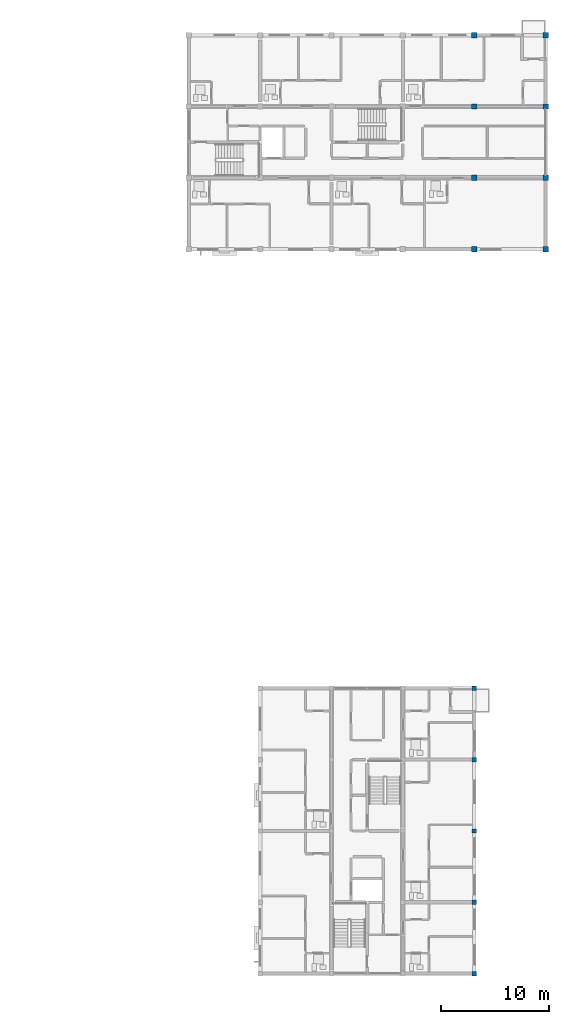
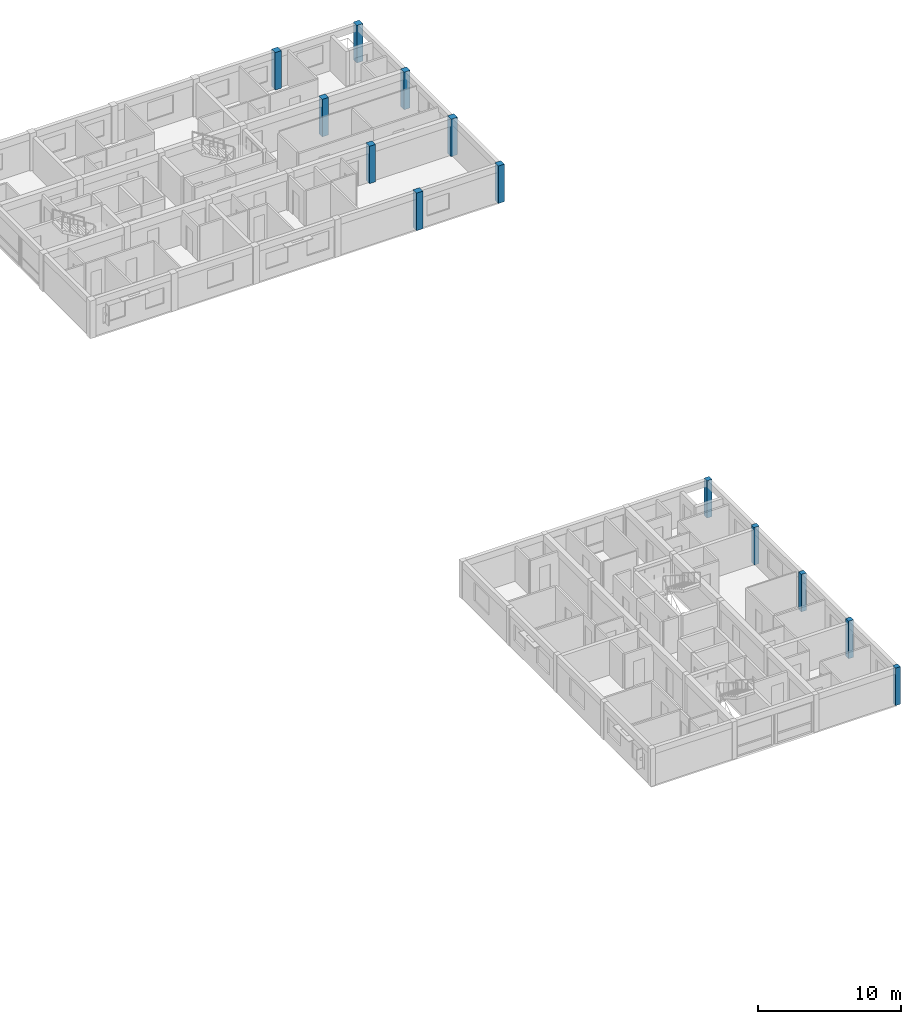
# One storey, part 4 of 49: 13 columns.
"""IFC4 building model written with IfcOpenShell, lengths in metres."""

from ifc_helpers import new_model, si_unit, direction, frame, origin, origin_2d, place, context, subcontext, project, spatial, rectangle, extrude, material, material_profile, profile_set, type_object, element, save


model = new_model("IFC4")

# Units and contexts
model_context = context("Model", 3, precision=1e-05, world=origin(), true_north=direction((0.0, 1.0)))
body_context = subcontext(model_context, "Body", "Model", "MODEL_VIEW")
ifc_project = project(units=[si_unit("LENGTHUNIT", "METRE"), si_unit("AREAUNIT", "SQUARE_METRE"), si_unit("VOLUMEUNIT", "CUBIC_METRE"), si_unit("PLANEANGLEUNIT", "RADIAN"), si_unit("MASSUNIT", "GRAM", prefix="KILO")], contexts=[model_context])

# Site, building, storey
site_placement = place(None, origin())
site = spatial("IfcSite", under=ifc_project, at=site_placement, CompositionType="ELEMENT")
building_placement = place(site_placement, origin())
building = spatial("IfcBuilding", under=site, at=building_placement, Name="Kernevlak Ridge Housing Community", CompositionType="ELEMENT")
storey_placement = place(building_placement, frame((0.0, 0.0, 30.800048828125)))
storey = spatial("IfcBuildingStorey", under=building, at=storey_placement, Name="L09", CompositionType="ELEMENT", Elevation=30.800048828125)

# Columns
ifc_material_1 = material(Name="Concrete C40/50", Category="concrete")
ifc_material_profile_1 = material_profile(ifc_material_1, rectangle(XDim=0.5, YDim=0.5, at=origin_2d()), Name="RC 500x500")
ifc_profile_set_1 = profile_set([ifc_material_profile_1], Name="Concrete C40/50")
column_type_1 = type_object("IfcColumnType", Name="C-03", PredefinedType="COLUMN", material=ifc_profile_set_1)
for number, where, z_axis, x_axis, name in (
    (1, (145.800048828125, 82.60009765625, 0.0), (0.0, 0.0, 1.0), (1.0, 0.0, 0.0), "Column C-03 COL-B-L09-04-0"),
    (2, (145.800048828125, 89.199951171875, 0.0), (0.0, 0.0, 1.0), (1.0, 0.0, 0.0), "Column C-03 COL-B-L09-04-1"),
    (3, (145.800048828125, 95.800048828125, 0.0), (0.0, 0.0, 1.0), (1.0, 0.0, 0.0), "Column C-03 COL-B-L09-04-2"),
    (4, (145.800048828125, 102.39990234375, 0.0), (0.0, 0.0, 1.0), (1.0, 0.0, 0.0), "Column C-03 COL-B-L09-04-3"),
    (5, (152.39990234375, 82.60009765625, 0.0), (0.0, 0.0, 1.0), (1.0, 0.0, 0.0), "Column C-03 COL-B-L09-05-0"),
    (6, (152.39990234375, 89.199951171875, 0.0), (0.0, 0.0, 1.0), (1.0, 0.0, 0.0), "Column C-03 COL-B-L09-05-1"),
    (7, (152.39990234375, 95.800048828125, 0.0), (0.0, 0.0, 1.0), (1.0, 0.0, 0.0), "Column C-03 COL-B-L09-05-2"),
    (8, (152.39990234375, 102.39990234375, 0.0), (0.0, 0.0, 1.0), (1.0, 0.0, 0.0), "Column C-03 COL-B-L09-05-3"),
):
    element("IfcColumn", number, at=place(storey_placement, frame(where, z_axis=z_axis, x_axis=x_axis)), inside=storey, type_object=column_type_1, Name=name, PredefinedType="COLUMN", context=body_context, shape_type="SweptSolid", body=[
        extrude(rectangle(XDim=0.5, YDim=0.5, at=origin_2d()), origin(), (0.0, 0.0, 1.0), 3.199951171875),
    ])
ifc_material_2 = material(Name="Concrete C35/45", Category="concrete")
ifc_material_profile_2 = material_profile(ifc_material_2, rectangle(XDim=0.39990234375, YDim=0.39990234375, at=origin_2d()), Name="RC 400x400")
ifc_profile_set_2 = profile_set([ifc_material_profile_2], Name="Concrete C35/45")
column_type_2 = type_object("IfcColumnType", Name="C-05", PredefinedType="COLUMN", material=ifc_profile_set_2)
for number, where, z_axis, x_axis, name in (
    (9, (145.800048828125, 15.60009765625, 0.0), (0.0, 0.0, 1.0), (1.0, 0.0, 0.0), "Column C-05 COL-C-L09-00-3"),
    (10, (145.800048828125, 22.199951171875, 0.0), (0.0, 0.0, 1.0), (1.0, 0.0, 0.0), "Column C-05 COL-C-L09-01-3"),
    (11, (145.800048828125, 28.800048828125, 0.0), (0.0, 0.0, 1.0), (1.0, 0.0, 0.0), "Column C-05 COL-C-L09-02-3"),
    (12, (145.800048828125, 35.39990234375, 0.0), (0.0, 0.0, 1.0), (1.0, 0.0, 0.0), "Column C-05 COL-C-L09-03-3"),
    (13, (145.800048828125, 42.0, 0.0), (0.0, 0.0, 1.0), (1.0, 0.0, 0.0), "Column C-05 COL-C-L09-04-3"),
):
    element("IfcColumn", number, at=place(storey_placement, frame(where, z_axis=z_axis, x_axis=x_axis)), inside=storey, type_object=column_type_2, Name=name, PredefinedType="COLUMN", context=body_context, shape_type="SweptSolid", body=[
        extrude(rectangle(XDim=0.39990234375, YDim=0.39990234375, at=origin_2d()), origin(), (0.0, 0.0, 1.0), 3.199951171875),
    ])

save(model, "model.ifc")
